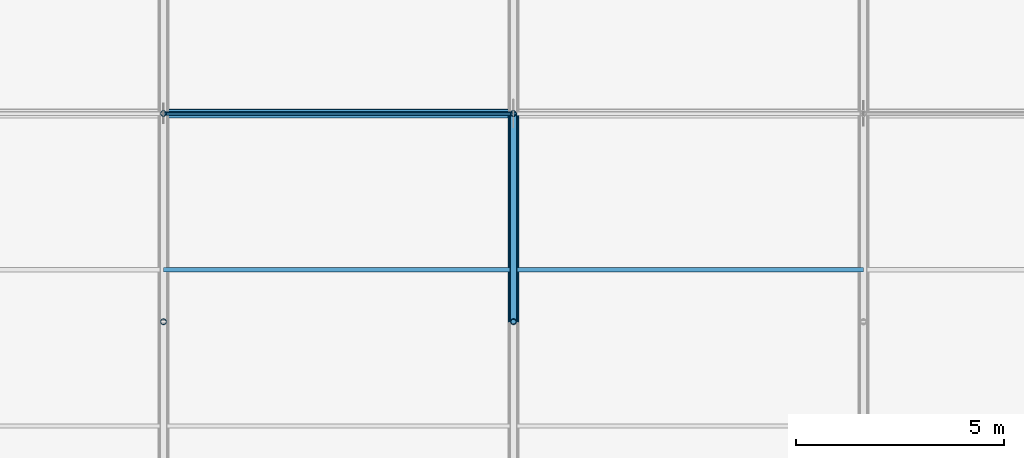
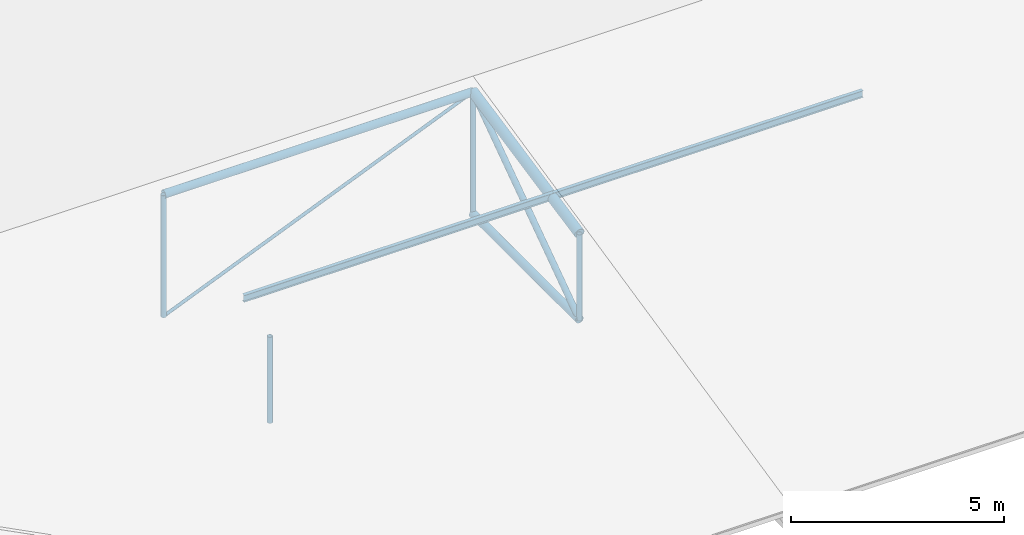
# One storey, part 36 of 194: 9 members, 2 beams.
"""IFC4 building model written with IfcOpenShell, lengths in metres."""

from ifc_helpers import new_model, si_unit, direction, frame, origin, origin_2d, place, context, subcontext, project, spatial, hollow_circle, i_section, extrude, material, material_profile, profile_set, type_object, element, save


model = new_model("IFC4")

# Units and contexts
model_context = context("Model", 3, precision=1e-05, world=origin(), true_north=direction((0.0, 1.0)))
body_context = subcontext(model_context, "Body", "Model", "MODEL_VIEW")
ifc_project = project(units=[si_unit("LENGTHUNIT", "METRE"), si_unit("AREAUNIT", "SQUARE_METRE"), si_unit("VOLUMEUNIT", "CUBIC_METRE"), si_unit("PLANEANGLEUNIT", "RADIAN"), si_unit("MASSUNIT", "GRAM", prefix="KILO")], contexts=[model_context])

# Site, building, storey
site_placement = place(None, origin())
site = spatial("IfcSite", under=ifc_project, at=site_placement, CompositionType="ELEMENT")
building_placement = place(site_placement, origin())
building = spatial("IfcBuilding", under=site, at=building_placement, Name="Kazenagashi Tramway Depot", CompositionType="ELEMENT")
storey_placement = place(building_placement, frame((0.0, 0.0, 23.7)))
storey = spatial("IfcBuildingStorey", under=building, at=storey_placement, Name="ROOF", CompositionType="ELEMENT", Elevation=23.7)

# Beams
ifc_material_1 = material(Name="Steel SN400B", Category="steel")
ifc_material_profile_1 = material_profile(ifc_material_1, i_section(OverallWidth=0.1, OverallDepth=0.2, WebThickness=0.0055, FlangeThickness=0.008, at=origin_2d()), Name="H-200x100x5.5x8")
ifc_profile_set_1 = profile_set([ifc_material_profile_1], Name="Steel SN400B")
beam_type = type_object("IfcBeamType", Name="PR-01", PredefinedType="USERDEFINED", material=ifc_profile_set_1)
for number, where, z_axis, x_axis, name in (
    (1, (112.0, 81.25, -11.305), (1.0, 0.0, 0.0), (0.0, 1.0, 0.0), "Beam PR-01 BM-2062"),
    (2, (120.4, 81.25, -11.305), (1.0, 0.0, 0.0), (0.0, 1.0, 0.0), "Beam PR-01 BM-2063"),
):
    element("IfcBeam", number, at=place(storey_placement, frame(where, z_axis=z_axis, x_axis=x_axis)), inside=storey, type_object=beam_type, Name=name, ObjectType="PURLIN", PredefinedType="USERDEFINED", context=body_context, shape_type="SweptSolid", body=[
        extrude(i_section(OverallWidth=0.1, OverallDepth=0.2, WebThickness=0.0055, FlangeThickness=0.008, at=origin_2d()), origin(), (0.0, 0.0, 1.0), 8.4),
    ])

# Members
ifc_material_2 = material(Name="Steel STK490", Category="steel")
ifc_material_profile_2 = material_profile(ifc_material_2, hollow_circle(Radius=0.1337, WallThickness=0.0093, at=origin_2d()), Name="CHS-267.4x9.3")
ifc_profile_set_2 = profile_set([ifc_material_profile_2], Name="Steel STK490")
member_type_1 = type_object("IfcMemberType", Name="TC-01", PredefinedType="CHORD", material=ifc_profile_set_2)
member_1_placement = place(storey_placement, frame((120.4, 80.0, -11.633), z_axis=(0.0, 0.979317999984, 0.202327098797), x_axis=(-1.0, 0.0, 0.0)))
element("IfcMember", 3, at=member_1_placement, inside=storey, type_object=member_type_1, Name="Tubular Space Frame TC-01 MEM-0556", PredefinedType="CHORD", context=body_context, shape_type="SweptSolid", body=[
    extrude(hollow_circle(Radius=0.1337, WallThickness=0.0093, at=origin_2d()), origin(), (0.0, 0.0, 1.0), 5.105594),
])
ifc_material_profile_3 = material_profile(ifc_material_2, hollow_circle(Radius=0.10815, WallThickness=0.0082, at=origin_2d()), Name="CHS-216.3x8.2")
ifc_profile_set_3 = profile_set([ifc_material_profile_3], Name="Steel STK490")
member_type_2 = type_object("IfcMemberType", Name="TC-02", PredefinedType="CHORD", material=ifc_profile_set_3)
member_2_placement = place(storey_placement, frame((112.0, 85.0, -10.6), z_axis=(1.0, 0.0, 0.0), x_axis=(0.0, 1.0, 0.0)))
element("IfcMember", 4, at=member_2_placement, inside=storey, type_object=member_type_2, Name="Tubular Space Frame TC-02 MEM-0516", PredefinedType="CHORD", context=body_context, shape_type="SweptSolid", body=[
    extrude(hollow_circle(Radius=0.10815, WallThickness=0.0082, at=origin_2d()), origin(), (0.0, 0.0, 1.0), 8.4),
])
member_3_placement = place(storey_placement, frame((120.4, 80.0, -14.1), z_axis=(0.0, 1.0, 0.0), x_axis=(-1.0, 0.0, 0.0)))
element("IfcMember", 5, at=member_3_placement, inside=storey, type_object=member_type_2, Name="Tubular Space Frame TC-02 MEM-0557", PredefinedType="CHORD", context=body_context, shape_type="SweptSolid", body=[
    extrude(hollow_circle(Radius=0.10815, WallThickness=0.0082, at=origin_2d()), origin(), (0.0, 0.0, 1.0), 5.0),
])
ifc_material_profile_4 = material_profile(ifc_material_2, hollow_circle(Radius=0.0826, WallThickness=0.0071, at=origin_2d()), Name="CHS-165.2x7.1")
ifc_profile_set_4 = profile_set([ifc_material_profile_4], Name="Steel STK490")
member_type_3 = type_object("IfcMemberType", Name="TS-01", PredefinedType="STRUT", material=ifc_profile_set_4)
member_4_placement = place(storey_placement, frame((120.4, 80.0, -14.1), z_axis=(0.0, 0.819231920519, 0.573462344363), x_axis=(-1.0, 0.0, 0.0)))
element("IfcMember", 6, at=member_4_placement, inside=storey, type_object=member_type_3, Name="Tubular Space Frame TS-01 MEM-0558", PredefinedType="STRUT", context=body_context, shape_type="SweptSolid", body=[
    extrude(hollow_circle(Radius=0.0826, WallThickness=0.0071, at=origin_2d()), origin(), (0.0, 0.0, 1.0), 6.103278),
])
ifc_material_profile_5 = material_profile(ifc_material_2, hollow_circle(Radius=0.0699, WallThickness=0.0066, at=origin_2d()), Name="CHS-139.8x6.6")
ifc_profile_set_5 = profile_set([ifc_material_profile_5], Name="Steel STK490")
member_type_4 = type_object("IfcMemberType", Name="TS-02", PredefinedType="STRUT", material=ifc_profile_set_5)
member_5_placement = place(storey_placement, frame((112.0, 80.0, -14.1), z_axis=(0.0, 0.0, 1.0), x_axis=(1.0, 0.0, 0.0)))
element("IfcMember", 7, at=member_5_placement, inside=storey, type_object=member_type_4, Name="Tubular Space Frame TS-02 MEM-0509", PredefinedType="STRUT", context=body_context, shape_type="SweptSolid", body=[
    extrude(hollow_circle(Radius=0.0699, WallThickness=0.0066, at=origin_2d()), origin(), (0.0, 0.0, 1.0), 2.467),
])
member_6_placement = place(storey_placement, frame((112.0, 85.0, -14.1), z_axis=(0.0, 0.0, 1.0), x_axis=(1.0, 0.0, 0.0)))
element("IfcMember", 8, at=member_6_placement, inside=storey, type_object=member_type_4, Name="Tubular Space Frame TS-02 MEM-0510", PredefinedType="STRUT", context=body_context, shape_type="SweptSolid", body=[
    extrude(hollow_circle(Radius=0.0699, WallThickness=0.0066, at=origin_2d()), origin(), (0.0, 0.0, 1.0), 3.5),
])
member_7_placement = place(storey_placement, frame((120.4, 80.0, -14.1), z_axis=(0.0, 0.0, 1.0), x_axis=(1.0, 0.0, 0.0)))
element("IfcMember", 9, at=member_7_placement, inside=storey, type_object=member_type_4, Name="Tubular Space Frame TS-02 MEM-0570", PredefinedType="STRUT", context=body_context, shape_type="SweptSolid", body=[
    extrude(hollow_circle(Radius=0.0699, WallThickness=0.0066, at=origin_2d()), origin(), (0.0, 0.0, 1.0), 2.467),
])
member_8_placement = place(storey_placement, frame((120.4, 85.0, -14.1), z_axis=(0.0, 0.0, 1.0), x_axis=(1.0, 0.0, 0.0)))
element("IfcMember", 10, at=member_8_placement, inside=storey, type_object=member_type_4, Name="Tubular Space Frame TS-02 MEM-0571", PredefinedType="STRUT", context=body_context, shape_type="SweptSolid", body=[
    extrude(hollow_circle(Radius=0.0699, WallThickness=0.0066, at=origin_2d()), origin(), (0.0, 0.0, 1.0), 3.5),
])
ifc_material_3 = material(Name="Steel STK400", Category="steel")
ifc_material_profile_6 = material_profile(ifc_material_3, hollow_circle(Radius=0.04455, WallThickness=0.0042, at=origin_2d()), Name="CHS-89.1x4.2")
ifc_profile_set_6 = profile_set([ifc_material_profile_6], Name="Steel STK400")
member_type_5 = type_object("IfcMemberType", Name="TS-04", PredefinedType="STRUT", material=ifc_profile_set_6)
member_9_placement = place(storey_placement, frame((112.0, 85.0, -14.1), z_axis=(0.923076923077, 0.0, 0.384615384615), x_axis=(0.0, 1.0, 0.0)))
element("IfcMember", 11, at=member_9_placement, inside=storey, type_object=member_type_5, Name="Tubular Space Frame TS-04 MEM-0517", PredefinedType="STRUT", context=body_context, shape_type="SweptSolid", body=[
    extrude(hollow_circle(Radius=0.04455, WallThickness=0.0042, at=origin_2d()), origin(), (0.0, 0.0, 1.0), 9.1),
])

save(model, "model.ifc")
